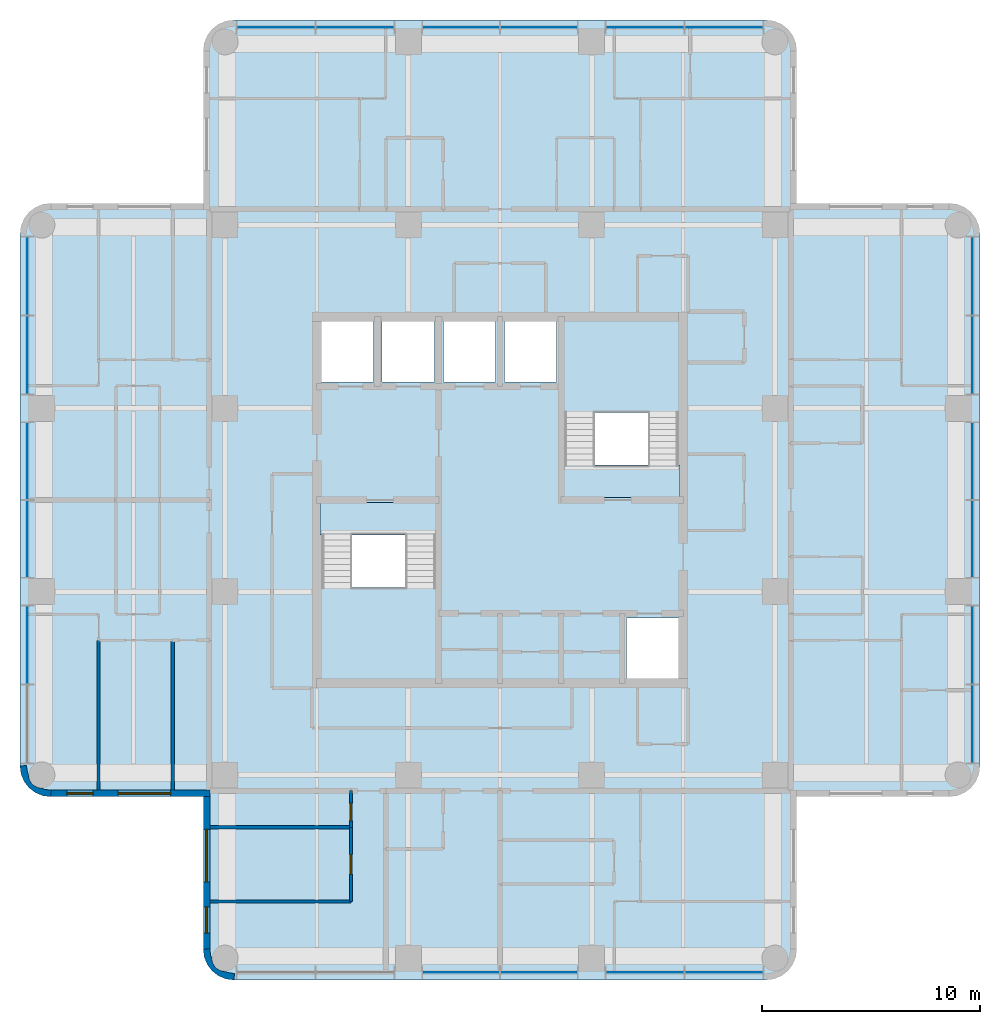
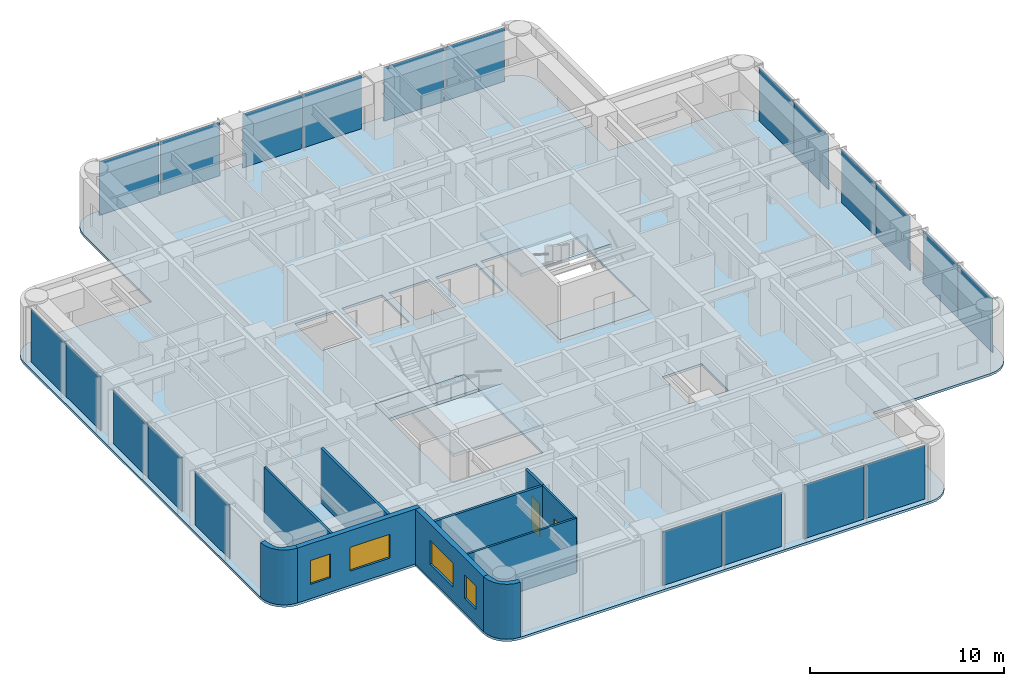
# One storey, part 3 of 10: 21 plates, 10 walls, 5 slabs, 4 windows, 2 doors, 6 openings, 6 elements without a shape of their own.
"""IFC4 building model written with IfcOpenShell, lengths in metres."""

from ifc_helpers import new_model, si_unit, direction, frame, frame_2d, origin, origin_2d, place, context, subcontext, project, spatial, polyline, rectangle, outline, extrude, material, layer, layer_set, type_object, element, fill, aggregate, save


model = new_model("IFC4")

# Units and contexts
model_context = context("Model", 3, precision=1e-05, world=origin(), true_north=direction((0.0, 1.0)))
body_context = subcontext(model_context, "Body", "Model", "MODEL_VIEW")
ifc_project = project(units=[si_unit("LENGTHUNIT", "METRE"), si_unit("AREAUNIT", "SQUARE_METRE"), si_unit("VOLUMEUNIT", "CUBIC_METRE"), si_unit("PLANEANGLEUNIT", "RADIAN"), si_unit("MASSUNIT", "GRAM", prefix="KILO")], contexts=[model_context])

# Site, building, storey
site_placement = place(None, origin())
site = spatial("IfcSite", under=ifc_project, at=site_placement, CompositionType="ELEMENT")
building_placement = place(site_placement, origin())
building = spatial("IfcBuilding", under=site, at=building_placement, Name="Torre Alcanfor", CompositionType="ELEMENT")
storey_placement = place(building_placement, frame((0.0, 0.0, 264.89990234375)))
storey = spatial("IfcBuildingStorey", under=building, at=storey_placement, Name="L69", CompositionType="ELEMENT", Elevation=264.89990234375)

# Curtain wall, plates
ifc_material_1 = material(Name="Aluminium and glass", Category="aluminium")
curtain_wall_type = type_object("IfcCurtainWallType", Name="CW-A unitised apartment glazing with vertical FIN", PredefinedType="NOTDEFINED", material=ifc_material_1)
curtain_wall_1_placement = place(storey_placement, origin())
curtain_wall_1 = element("IfcCurtainWall", 1, at=curtain_wall_1_placement, inside=storey, type_object=curtain_wall_type, Name="Curtain wall CW-A L69 2", PredefinedType="NOTDEFINED")
ifc_material_2 = material(Name="Glass", Category="glass")
ifc_layer_1 = layer(ifc_material_2, 0.028076171875)
ifc_layer_set_1 = layer_set([ifc_layer_1], Name="CW-A clear double glazed unit")
plate_type = type_object("IfcPlateType", Name="CW-A clear double glazed unit", PredefinedType="CURTAIN_PANEL", material=ifc_layer_set_1)
plate_1_placement = place(storey_placement, frame((7.75, 39.664794921875, 0.0), z_axis=(0.0, 0.0, 1.0), x_axis=(0.0, -1.0, 0.0)))
plate_1 = element("IfcPlate", 2, at=plate_1_placement, type_object=plate_type, Name="CW-A panel 1.1.1", PredefinedType="CURTAIN_PANEL", context=body_context, shape_type="SweptSolid", body=[
    extrude(rectangle(XDim=3.55322265625, YDim=0.028076171875, at=origin_2d()), origin(), (0.0, 0.0, 1.0), 3.385009765625),
])
plate_2_placement = place(storey_placement, frame((7.75, 36.046630859375, 0.0), z_axis=(0.0, 0.0, 1.0), x_axis=(0.0, -1.0, 0.0)))
plate_2 = element("IfcPlate", 3, at=plate_2_placement, type_object=plate_type, Name="CW-A panel 1.2.1", PredefinedType="CURTAIN_PANEL", context=body_context, shape_type="SweptSolid", body=[
    extrude(rectangle(XDim=3.55322265625, YDim=0.028076171875, at=origin_2d()), origin(), (0.0, 0.0, 1.0), 3.385009765625),
])
plate_3_placement = place(storey_placement, frame((7.75, 31.18115234375, 0.0), z_axis=(0.0, 0.0, 1.0), x_axis=(0.0, -1.0, 0.0)))
plate_3 = element("IfcPlate", 4, at=plate_3_placement, type_object=plate_type, Name="CW-A panel 2.1.1", PredefinedType="CURTAIN_PANEL", context=body_context, shape_type="SweptSolid", body=[
    extrude(rectangle(XDim=3.49755859375, YDim=0.028076171875, at=origin_2d()), origin(), (0.0, 0.0, 1.0), 3.385009765625),
])
plate_4_placement = place(storey_placement, frame((7.75, 27.61865234375, 0.0), z_axis=(0.0, 0.0, 1.0), x_axis=(0.0, -1.0, 0.0)))
plate_4 = element("IfcPlate", 5, at=plate_4_placement, type_object=plate_type, Name="CW-A panel 2.2.1", PredefinedType="CURTAIN_PANEL", context=body_context, shape_type="SweptSolid", body=[
    extrude(rectangle(XDim=3.49755859375, YDim=0.028076171875, at=origin_2d()), origin(), (0.0, 0.0, 1.0), 3.385009765625),
])
plate_5_placement = place(storey_placement, frame((7.75, 22.75341796875, 0.0), z_axis=(0.0, 0.0, 1.0), x_axis=(0.0, -1.0, 0.0)))
plate_5 = element("IfcPlate", 6, at=plate_5_placement, type_object=plate_type, Name="CW-A panel 3.1.1", PredefinedType="CURTAIN_PANEL", context=body_context, shape_type="SweptSolid", body=[
    extrude(rectangle(XDim=3.55322265625, YDim=0.028076171875, at=origin_2d()), origin(), (0.0, 0.0, 1.0), 3.385009765625),
])
aggregate(curtain_wall_1, [plate_1, plate_2, plate_3, plate_4, plate_5])

curtain_wall_2_placement = place(storey_placement, origin())
curtain_wall_2 = element("IfcCurtainWall", 7, at=curtain_wall_2_placement, inside=storey, type_object=curtain_wall_type, Name="Curtain wall CW-A L69 5", PredefinedType="NOTDEFINED")
plate_6_placement = place(storey_placement, frame((27.61865234375, 7.75, 0.0), z_axis=(0.0, 0.0, 1.0), x_axis=(1.0, 0.0, 0.0)))
plate_6 = element("IfcPlate", 8, at=plate_6_placement, type_object=plate_type, Name="CW-A panel 2.1.1", PredefinedType="CURTAIN_PANEL", context=body_context, shape_type="SweptSolid", body=[
    extrude(rectangle(XDim=3.49755859375, YDim=0.028076171875, at=origin_2d()), origin(), (0.0, 0.0, 1.0), 3.385009765625),
])
plate_7_placement = place(storey_placement, frame((31.18115234375, 7.75, 0.0), z_axis=(0.0, 0.0, 1.0), x_axis=(1.0, 0.0, 0.0)))
plate_7 = element("IfcPlate", 9, at=plate_7_placement, type_object=plate_type, Name="CW-A panel 2.2.1", PredefinedType="CURTAIN_PANEL", context=body_context, shape_type="SweptSolid", body=[
    extrude(rectangle(XDim=3.49755859375, YDim=0.028076171875, at=origin_2d()), origin(), (0.0, 0.0, 1.0), 3.385009765625),
])
plate_8_placement = place(storey_placement, frame((36.046630859375, 7.75, 0.0), z_axis=(0.0, 0.0, 1.0), x_axis=(1.0, 0.0, 0.0)))
plate_8 = element("IfcPlate", 10, at=plate_8_placement, type_object=plate_type, Name="CW-A panel 3.1.1", PredefinedType="CURTAIN_PANEL", context=body_context, shape_type="SweptSolid", body=[
    extrude(rectangle(XDim=3.55322265625, YDim=0.028076171875, at=origin_2d()), origin(), (0.0, 0.0, 1.0), 3.385009765625),
])
plate_9_placement = place(storey_placement, frame((39.664794921875, 7.75, 0.0), z_axis=(0.0, 0.0, 1.0), x_axis=(1.0, 0.0, 0.0)))
plate_9 = element("IfcPlate", 11, at=plate_9_placement, type_object=plate_type, Name="CW-A panel 3.2.1", PredefinedType="CURTAIN_PANEL", context=body_context, shape_type="SweptSolid", body=[
    extrude(rectangle(XDim=3.55322265625, YDim=0.028076171875, at=origin_2d()), origin(), (0.0, 0.0, 1.0), 3.385009765625),
])
aggregate(curtain_wall_2, [plate_6, plate_7, plate_8, plate_9])

curtain_wall_3_placement = place(storey_placement, origin())
curtain_wall_3 = element("IfcCurtainWall", 12, at=curtain_wall_3_placement, inside=storey, type_object=curtain_wall_type, Name="Curtain wall CW-A L69 8", PredefinedType="NOTDEFINED")
plate_10_placement = place(storey_placement, frame((51.050048828125, 19.135009765625, 0.0), z_axis=(0.0, 0.0, 1.0), x_axis=(0.0, 1.0, 0.0)))
plate_10 = element("IfcPlate", 13, at=plate_10_placement, type_object=plate_type, Name="CW-A panel 1.1.1", PredefinedType="CURTAIN_PANEL", context=body_context, shape_type="SweptSolid", body=[
    extrude(rectangle(XDim=3.55322265625, YDim=0.028076171875, at=origin_2d()), origin(), (0.0, 0.0, 1.0), 3.385009765625),
])
plate_11_placement = place(storey_placement, frame((51.050048828125, 22.75341796875, 0.0), z_axis=(0.0, 0.0, 1.0), x_axis=(0.0, 1.0, 0.0)))
plate_11 = element("IfcPlate", 14, at=plate_11_placement, type_object=plate_type, Name="CW-A panel 1.2.1", PredefinedType="CURTAIN_PANEL", context=body_context, shape_type="SweptSolid", body=[
    extrude(rectangle(XDim=3.55322265625, YDim=0.028076171875, at=origin_2d()), origin(), (0.0, 0.0, 1.0), 3.385009765625),
])
plate_12_placement = place(storey_placement, frame((51.050048828125, 27.61865234375, 0.0), z_axis=(0.0, 0.0, 1.0), x_axis=(0.0, 1.0, 0.0)))
plate_12 = element("IfcPlate", 15, at=plate_12_placement, type_object=plate_type, Name="CW-A panel 2.1.1", PredefinedType="CURTAIN_PANEL", context=body_context, shape_type="SweptSolid", body=[
    extrude(rectangle(XDim=3.49755859375, YDim=0.028076171875, at=origin_2d()), origin(), (0.0, 0.0, 1.0), 3.385009765625),
])
plate_13_placement = place(storey_placement, frame((51.050048828125, 31.18115234375, 0.0), z_axis=(0.0, 0.0, 1.0), x_axis=(0.0, 1.0, 0.0)))
plate_13 = element("IfcPlate", 16, at=plate_13_placement, type_object=plate_type, Name="CW-A panel 2.2.1", PredefinedType="CURTAIN_PANEL", context=body_context, shape_type="SweptSolid", body=[
    extrude(rectangle(XDim=3.49755859375, YDim=0.028076171875, at=origin_2d()), origin(), (0.0, 0.0, 1.0), 3.385009765625),
])
plate_14_placement = place(storey_placement, frame((51.050048828125, 36.046630859375, 0.0), z_axis=(0.0, 0.0, 1.0), x_axis=(0.0, 1.0, 0.0)))
plate_14 = element("IfcPlate", 17, at=plate_14_placement, type_object=plate_type, Name="CW-A panel 3.1.1", PredefinedType="CURTAIN_PANEL", context=body_context, shape_type="SweptSolid", body=[
    extrude(rectangle(XDim=3.55322265625, YDim=0.028076171875, at=origin_2d()), origin(), (0.0, 0.0, 1.0), 3.385009765625),
])
plate_15_placement = place(storey_placement, frame((51.050048828125, 39.664794921875, 0.0), z_axis=(0.0, 0.0, 1.0), x_axis=(0.0, 1.0, 0.0)))
plate_15 = element("IfcPlate", 18, at=plate_15_placement, type_object=plate_type, Name="CW-A panel 3.2.1", PredefinedType="CURTAIN_PANEL", context=body_context, shape_type="SweptSolid", body=[
    extrude(rectangle(XDim=3.55322265625, YDim=0.028076171875, at=origin_2d()), origin(), (0.0, 0.0, 1.0), 3.385009765625),
])
aggregate(curtain_wall_3, [plate_10, plate_11, plate_12, plate_13, plate_14, plate_15])

curtain_wall_4_placement = place(storey_placement, origin())
curtain_wall_4 = element("IfcCurtainWall", 19, at=curtain_wall_4_placement, inside=storey, type_object=curtain_wall_type, Name="Curtain wall CW-A L69 11", PredefinedType="NOTDEFINED")
plate_16_placement = place(storey_placement, frame((39.664794921875, 51.050048828125, 0.0), z_axis=(0.0, 0.0, 1.0), x_axis=(-1.0, 0.0, 0.0)))
plate_16 = element("IfcPlate", 20, at=plate_16_placement, type_object=plate_type, Name="CW-A panel 1.1.1", PredefinedType="CURTAIN_PANEL", context=body_context, shape_type="SweptSolid", body=[
    extrude(rectangle(XDim=3.55322265625, YDim=0.028076171875, at=origin_2d()), origin(), (0.0, 0.0, 1.0), 3.385009765625),
])
plate_17_placement = place(storey_placement, frame((36.046630859375, 51.050048828125, 0.0), z_axis=(0.0, 0.0, 1.0), x_axis=(-1.0, 0.0, 0.0)))
plate_17 = element("IfcPlate", 21, at=plate_17_placement, type_object=plate_type, Name="CW-A panel 1.2.1", PredefinedType="CURTAIN_PANEL", context=body_context, shape_type="SweptSolid", body=[
    extrude(rectangle(XDim=3.55322265625, YDim=0.028076171875, at=origin_2d()), origin(), (0.0, 0.0, 1.0), 3.385009765625),
])
plate_18_placement = place(storey_placement, frame((31.18115234375, 51.050048828125, 0.0), z_axis=(0.0, 0.0, 1.0), x_axis=(-1.0, 0.0, 0.0)))
plate_18 = element("IfcPlate", 22, at=plate_18_placement, type_object=plate_type, Name="CW-A panel 2.1.1", PredefinedType="CURTAIN_PANEL", context=body_context, shape_type="SweptSolid", body=[
    extrude(rectangle(XDim=3.49755859375, YDim=0.028076171875, at=origin_2d()), origin(), (0.0, 0.0, 1.0), 3.385009765625),
])
plate_19_placement = place(storey_placement, frame((27.61865234375, 51.050048828125, 0.0), z_axis=(0.0, 0.0, 1.0), x_axis=(-1.0, 0.0, 0.0)))
plate_19 = element("IfcPlate", 23, at=plate_19_placement, type_object=plate_type, Name="CW-A panel 2.2.1", PredefinedType="CURTAIN_PANEL", context=body_context, shape_type="SweptSolid", body=[
    extrude(rectangle(XDim=3.49755859375, YDim=0.028076171875, at=origin_2d()), origin(), (0.0, 0.0, 1.0), 3.385009765625),
])
plate_20_placement = place(storey_placement, frame((22.75341796875, 51.050048828125, 0.0), z_axis=(0.0, 0.0, 1.0), x_axis=(-1.0, 0.0, 0.0)))
plate_20 = element("IfcPlate", 24, at=plate_20_placement, type_object=plate_type, Name="CW-A panel 3.1.1", PredefinedType="CURTAIN_PANEL", context=body_context, shape_type="SweptSolid", body=[
    extrude(rectangle(XDim=3.55322265625, YDim=0.028076171875, at=origin_2d()), origin(), (0.0, 0.0, 1.0), 3.385009765625),
])
plate_21_placement = place(storey_placement, frame((19.135009765625, 51.050048828125, 0.0), z_axis=(0.0, 0.0, 1.0), x_axis=(-1.0, 0.0, 0.0)))
plate_21 = element("IfcPlate", 25, at=plate_21_placement, type_object=plate_type, Name="CW-A panel 3.2.1", PredefinedType="CURTAIN_PANEL", context=body_context, shape_type="SweptSolid", body=[
    extrude(rectangle(XDim=3.55322265625, YDim=0.028076171875, at=origin_2d()), origin(), (0.0, 0.0, 1.0), 3.385009765625),
])
aggregate(curtain_wall_4, [plate_16, plate_17, plate_18, plate_19, plate_20, plate_21])

# Slab
ifc_material_3 = material(Name="Concrete f'c 35 MPa", Category="concrete")
ifc_layer_2 = layer(ifc_material_3, 0.14990234375)
ifc_layer_set_2 = layer_set([ifc_layer_2], Name="Composite floor 150 on metal deck")
slab_type_1 = type_object("IfcSlabType", Name="Composite floor 150 on metal deck", PredefinedType="FLOOR", material=ifc_layer_set_2)
slab_1_placement = place(storey_placement, frame((0.0, 0.0, -0.14990234375)))
element("IfcSlab", 26, at=slab_1_placement, inside=storey, type_object=slab_type_1, Name="Floor slab L69", PredefinedType="FLOOR", context=body_context, shape_type="SweptSolid", body=[
    extrude(outline(polyline([(15.800048828125, 43.0), (8.800048828125, 43.0), (8.437744140625, 42.952392578125), (8.10009765625, 42.8125), (7.81005859375, 42.58984375), (7.587646484375, 42.300048828125), (7.44775390625, 41.96240234375), (7.39990234375, 41.60009765625), (7.39990234375, 17.199951171875), (7.44775390625, 16.837646484375), (7.587646484375, 16.5), (7.81005859375, 16.210205078125), (8.10009765625, 15.987548828125), (8.437744140625, 15.84765625), (8.800048828125, 15.800048828125), (15.800048828125, 15.800048828125), (15.800048828125, 8.800048828125), (15.84765625, 8.437744140625), (15.987548828125, 8.10009765625), (16.210205078125, 7.81005859375), (16.5, 7.587646484375), (16.837646484375, 7.44775390625), (17.199951171875, 7.39990234375), (41.60009765625, 7.39990234375), (41.96240234375, 7.44775390625), (42.300048828125, 7.587646484375), (42.58984375, 7.81005859375), (42.8125, 8.10009765625), (42.952392578125, 8.437744140625), (43.0, 8.800048828125), (43.0, 15.800048828125), (50.0, 15.800048828125), (50.3623046875, 15.84765625), (50.699951171875, 15.987548828125), (50.989990234375, 16.210205078125), (51.21240234375, 16.5), (51.352294921875, 16.837646484375), (51.39990234375, 17.199951171875), (51.39990234375, 41.60009765625), (51.352294921875, 41.96240234375), (51.21240234375, 42.300048828125), (50.989990234375, 42.58984375), (50.699951171875, 42.8125), (50.3623046875, 42.952392578125), (50.0, 43.0), (43.0, 43.0), (43.0, 50.0), (42.952392578125, 50.3623046875), (42.8125, 50.699951171875), (42.58984375, 50.989990234375), (42.300048828125, 51.21240234375), (41.96240234375, 51.352294921875), (41.60009765625, 51.39990234375), (17.199951171875, 51.39990234375), (16.837646484375, 51.352294921875), (16.5, 51.21240234375), (16.210205078125, 50.989990234375), (15.987548828125, 50.699951171875), (15.84765625, 50.3623046875), (15.800048828125, 50.0), (15.800048828125, 43.0)]), holes=[polyline([(21.14501953125, 21.14501953125), (26.47998046875, 21.14501953125), (26.47998046875, 29.280029296875), (21.14501953125, 29.280029296875), (21.14501953125, 21.14501953125)]), polyline([(32.320068359375, 29.52001953125), (37.655029296875, 29.52001953125), (37.655029296875, 37.655029296875), (32.320068359375, 37.655029296875), (32.320068359375, 29.52001953125)]), polyline([(35.199951171875, 21.22509765625), (37.574951171875, 21.22509765625), (37.574951171875, 24.0), (35.199951171875, 24.0), (35.199951171875, 21.22509765625)]), polyline([(21.22509765625, 34.800048828125), (23.60009765625, 34.800048828125), (23.60009765625, 37.574951171875), (21.22509765625, 37.574951171875), (21.22509765625, 34.800048828125)]), polyline([(24.0, 34.800048828125), (26.39990234375, 34.800048828125), (26.39990234375, 37.574951171875), (24.0, 37.574951171875), (24.0, 34.800048828125)]), polyline([(26.800048828125, 34.800048828125), (29.199951171875, 34.800048828125), (29.199951171875, 37.574951171875), (26.800048828125, 37.574951171875), (26.800048828125, 34.800048828125)]), polyline([(29.60009765625, 34.800048828125), (32.0, 34.800048828125), (32.0, 37.574951171875), (29.60009765625, 37.574951171875), (29.60009765625, 34.800048828125)])]), origin(), (0.0, 0.0, 1.0), 0.14990234375),
])

# Stair, slabs
ifc_material_4 = material(Name="Concrete f'c 35 MPa", Category="concrete")
stair_type_1 = type_object("IfcStairType", Name="Exit stair S1 1400 wide", PredefinedType="HALF_TURN_STAIR", material=ifc_material_4)
stair_1_placement = place(storey_placement, origin())
stair_1 = element("IfcStair", 27, at=stair_1_placement, inside=storey, type_object=stair_type_1, Name="Stair S1 L69 to L70", PredefinedType="HALF_TURN_STAIR")
ifc_material_5 = material(Name="Concrete f'c 35 MPa", Category="concrete")
ifc_layer_3 = layer(ifc_material_5, 0.199951171875)
ifc_layer_set_3 = layer_set([ifc_layer_3], Name="Stair landing 200")
slab_type_2 = type_object("IfcSlabType", Name="Stair landing 200", PredefinedType="LANDING", material=ifc_layer_set_3)
slab_2_placement = place(storey_placement, frame((0.0, 0.0, -0.199951171875)))
slab_2 = element("IfcSlab", 28, at=slab_2_placement, type_object=slab_type_2, Name="S1 landing 1", PredefinedType="LANDING", context=body_context, shape_type="SweptSolid", body=[
    extrude(outline(polyline([(21.14501953125, 27.800048828125), (26.47998046875, 27.800048828125), (26.47998046875, 29.280029296875), (21.14501953125, 29.280029296875), (21.14501953125, 27.800048828125)])), origin(), (0.0, 0.0, 1.0), 0.199951171875),
])
slab_3_placement = place(storey_placement, frame((0.0, 0.0, 1.60009765625)))
slab_3 = element("IfcSlab", 29, at=slab_3_placement, type_object=slab_type_2, Name="S1 landing 2", PredefinedType="LANDING", context=body_context, shape_type="SweptSolid", body=[
    extrude(outline(polyline([(21.14501953125, 21.14501953125), (26.530029296875, 21.14501953125), (26.530029296875, 25.3798828125), (21.14501953125, 25.3798828125), (21.14501953125, 21.14501953125)])), origin(), (0.0, 0.0, 1.0), 0.199951171875),
])
aggregate(stair_1, [slab_2, slab_3])

ifc_material_6 = material(Name="Concrete f'c 35 MPa", Category="concrete")
stair_type_2 = type_object("IfcStairType", Name="Exit stair S2 1400 wide", PredefinedType="HALF_TURN_STAIR", material=ifc_material_6)
stair_2_placement = place(storey_placement, origin())
stair_2 = element("IfcStair", 30, at=stair_2_placement, inside=storey, type_object=stair_type_2, Name="Stair S2 L69 to L70", PredefinedType="HALF_TURN_STAIR")
slab_4_placement = place(storey_placement, frame((0.0, 0.0, -0.199951171875)))
slab_4 = element("IfcSlab", 31, at=slab_4_placement, type_object=slab_type_2, Name="S2 landing 1", PredefinedType="LANDING", context=body_context, shape_type="SweptSolid", body=[
    extrude(outline(polyline([(32.320068359375, 29.52001953125), (37.655029296875, 29.52001953125), (37.655029296875, 31.0), (32.320068359375, 31.0), (32.320068359375, 29.52001953125)])), origin(), (0.0, 0.0, 1.0), 0.199951171875),
])
slab_5_placement = place(storey_placement, frame((0.0, 0.0, 1.60009765625)))
slab_5 = element("IfcSlab", 32, at=slab_5_placement, type_object=slab_type_2, Name="S2 landing 2", PredefinedType="LANDING", context=body_context, shape_type="SweptSolid", body=[
    extrude(outline(polyline([(32.27001953125, 33.419921875), (37.655029296875, 33.419921875), (37.655029296875, 37.655029296875), (32.27001953125, 37.655029296875), (32.27001953125, 33.419921875)])), origin(), (0.0, 0.0, 1.0), 0.199951171875),
])
aggregate(stair_2, [slab_4, slab_5])

# Wall
ifc_material_7 = material(Name="Gypsum board on steel studs", Category="steel")
ifc_layer_4 = layer(ifc_material_7, 0.1201171875)
ifc_layer_set_4 = layer_set([ifc_layer_4], Name="Apartment partition 120")
wall_type_1 = type_object("IfcWallType", Name="Apartment partition 120", PredefinedType="PARTITIONING", material=ifc_layer_set_4)
wall_1_placement = place(storey_placement, frame((16.10009765625, 11.0, 0.0), z_axis=(0.0, 0.0, 1.0), x_axis=(1.0, 0.0, 0.0)))
element("IfcWall", 33, at=wall_1_placement, inside=storey, type_object=wall_type_1, Name="Partition L69-S2B-LIVING / L69-S2B-MASTER", PredefinedType="PARTITIONING", context=body_context, shape_type="SweptSolid", body=[
    extrude(rectangle(XDim=6.470947265625, YDim=0.1201171875, at=frame_2d((3.2353515625, 0.0))), origin(), (0.0, 0.0, 1.0), 3.4501953125),
])

# Wall, opening, door
wall_2_placement = place(storey_placement, frame((22.571044921875, 11.0, 0.0), z_axis=(0.0, 0.0, 1.0), x_axis=(0.0, 1.0, 0.0)))
wall_2 = element("IfcWall", 34, at=wall_2_placement, inside=storey, type_object=wall_type_1, Name="Partition L69-S2B-LIVING / L69-S2B-MASTER", PredefinedType="PARTITIONING", context=body_context, shape_type="SweptSolid", body=[
    extrude(rectangle(XDim=3.39990234375, YDim=0.1201171875, at=frame_2d((1.699951171875, 0.0))), origin(), (0.0, 0.0, 1.0), 3.4501953125),
])
opening_1_placement = place(wall_2_placement, frame((1.25, 0.0, 0.0)))
opening_1 = element("IfcOpeningElement", 35, at=opening_1_placement, cuts=wall_2, Name="Opening D-R1", PredefinedType="OPENING", context=body_context, shape_type="SweptSolid", body=[
    extrude(rectangle(XDim=0.89990234375, YDim=2.10009765625, at=frame_2d((0.449951171875, 1.050048828125))), frame((0.0, 0.070068359375, 0.0), z_axis=(0.0, -1.0, 0.0), x_axis=(1.0, 0.0, 0.0)), (0.0, 0.0, 1.0), 0.14013671875),
])
ifc_material_8 = material(Name="Timber", Category="wood")
door_type_1 = type_object("IfcDoorType", Name="Internal door 900x2100", OperationType="SINGLE_SWING_LEFT", PredefinedType="DOOR", material=ifc_material_8)
door_1_placement = place(opening_1_placement, origin())
door_1 = element("IfcDoor", 36, at=door_1_placement, inside=storey, type_object=door_type_1, Name="Door L69-S2B master", OperationType="SINGLE_SWING_LEFT", OverallHeight=2.10009765625, OverallWidth=0.89990234375, PredefinedType="DOOR", context=body_context, shape_type="SweptSolid", body=[
    extrude(rectangle(XDim=0.89990234375, YDim=2.10009765625, at=frame_2d((0.449951171875, 1.050048828125))), frame((0.0, 0.02490234375, 0.0), z_axis=(0.0, -1.0, 0.0), x_axis=(1.0, 0.0, 0.0)), (0.0, 0.0, 1.0), 0.050048828125),
])
fill(opening_1, door_1)

# Wall
wall_3_placement = place(storey_placement, frame((11.0, 22.970947265625, 0.0), z_axis=(0.0, 0.0, 1.0), x_axis=(0.0, -1.0, 0.0)))
element("IfcWall", 37, at=wall_3_placement, inside=storey, type_object=wall_type_1, Name="Partition L69-W1-STUDY / L69-W1-MASTER", PredefinedType="PARTITIONING", context=body_context, shape_type="SweptSolid", body=[
    extrude(rectangle(XDim=6.870849609375, YDim=0.1201171875, at=frame_2d((3.435546875, 0.0))), origin(), (0.0, 0.0, 1.0), 3.4501953125),
])

# Wall, openings, windows
ifc_material_9 = material(Name="Limestone cladding", Category="masonry")
ifc_layer_5 = layer(ifc_material_9, 0.0400390625, Name="Facing")
ifc_material_10 = material(Name="Ventilated air cavity")
ifc_layer_6 = layer(ifc_material_10, 0.02001953125, ventilated=True, Name="Ventilated joint")
ifc_material_11 = material(Name="Mineral wool insulation", Category="insulation")
ifc_layer_7 = layer(ifc_material_11, 0.10009765625, Name="Insulation")
ifc_material_12 = material(Name="Concrete f'c 35 MPa", Category="concrete")
ifc_layer_8 = layer(ifc_material_12, 0.139892578125, Name="Backing")
ifc_layer_set_5 = layer_set([ifc_layer_5, ifc_layer_6, ifc_layer_7, ifc_layer_8], Name="External wall stone-clad 300")
wall_type_2 = type_object("IfcWallType", Name="External wall stone-clad 300", PredefinedType="SOLIDWALL", material=ifc_layer_set_5)
wall_4_placement = place(storey_placement, frame((8.800048828125, 15.949951171875, 0.0), z_axis=(0.0, 0.0, 1.0), x_axis=(1.0, 0.0, 0.0)))
wall_4 = element("IfcWall", 38, at=wall_4_placement, inside=storey, type_object=wall_type_2, Name="External wall L69 3", PredefinedType="SOLIDWALL", context=body_context, shape_type="SweptSolid", body=[
    extrude(rectangle(XDim=7.300048828125, YDim=0.300048828125, at=frame_2d((3.64990234375, 0.0))), origin(), (0.0, 0.0, 1.0), 3.4501953125),
])
opening_2_placement = place(wall_4_placement, frame((3.10009765625, 0.0, 0.89990234375)))
opening_2 = element("IfcOpeningElement", 39, at=opening_2_placement, cuts=wall_4, Name="Opening W1", PredefinedType="OPENING", context=body_context, shape_type="SweptSolid", body=[
    extrude(rectangle(XDim=2.39990234375, YDim=1.5, at=frame_2d((1.199951171875, 0.75))), frame((0.0, 0.159912109375, 0.0), z_axis=(0.0, -1.0, 0.0), x_axis=(1.0, 0.0, 0.0)), (0.0, 0.0, 1.0), 0.320068359375),
])
opening_3_placement = place(wall_4_placement, frame((0.75, 0.0, 0.89990234375)))
opening_3 = element("IfcOpeningElement", 40, at=opening_3_placement, cuts=wall_4, Name="Opening W4", PredefinedType="OPENING", context=body_context, shape_type="SweptSolid", body=[
    extrude(rectangle(XDim=1.199951171875, YDim=1.5, at=frame_2d((0.60009765625, 0.75))), frame((0.0, 0.159912109375, 0.0), z_axis=(0.0, -1.0, 0.0), x_axis=(1.0, 0.0, 0.0)), (0.0, 0.0, 1.0), 0.320068359375),
])
ifc_material_13 = material(Name="Aluminium frame with clear double glazing", Category="aluminium")
window_type_1 = type_object("IfcWindowType", Name="Window bedroom 1200x1500", PartitioningType="SINGLE_PANEL", PredefinedType="WINDOW", material=ifc_material_13)
window_1_placement = place(opening_3_placement, origin())
window_1 = element("IfcWindow", 41, at=window_1_placement, inside=storey, type_object=window_type_1, Name="Window W4 L69-W1", OverallHeight=1.5, OverallWidth=1.199951171875, PartitioningType="SINGLE_PANEL", PredefinedType="WINDOW", context=body_context, shape_type="SweptSolid", body=[
    extrude(rectangle(XDim=1.199951171875, YDim=1.5, at=frame_2d((0.60009765625, 0.75))), frame((0.0, 0.030029296875, 0.0), z_axis=(0.0, -1.0, 0.0), x_axis=(1.0, 0.0, 0.0)), (0.0, 0.0, 1.0), 0.06005859375),
])
fill(opening_3, window_1)
ifc_material_14 = material(Name="Aluminium frame with clear double glazing", Category="aluminium")
window_type_2 = type_object("IfcWindowType", Name="Window bedroom 2400x1500", PartitioningType="SINGLE_PANEL", PredefinedType="WINDOW", material=ifc_material_14)
window_2_placement = place(opening_2_placement, origin())
window_2 = element("IfcWindow", 42, at=window_2_placement, inside=storey, type_object=window_type_2, Name="Window W1 L69-W1", OverallHeight=1.5, OverallWidth=2.39990234375, PartitioningType="SINGLE_PANEL", PredefinedType="WINDOW", context=body_context, shape_type="SweptSolid", body=[
    extrude(rectangle(XDim=2.39990234375, YDim=1.5, at=frame_2d((1.199951171875, 0.75))), frame((0.0, 0.030029296875, 0.0), z_axis=(0.0, -1.0, 0.0), x_axis=(1.0, 0.0, 0.0)), (0.0, 0.0, 1.0), 0.06005859375),
])
fill(opening_2, window_2)

wall_5_placement = place(storey_placement, frame((15.949951171875, 15.800048828125, 0.0), z_axis=(0.0, 0.0, 1.0), x_axis=(0.0, -1.0, 0.0)))
wall_5 = element("IfcWall", 43, at=wall_5_placement, inside=storey, type_object=wall_type_2, Name="External wall L69 4", PredefinedType="SOLIDWALL", context=body_context, shape_type="SweptSolid", body=[
    extrude(rectangle(XDim=7.0, YDim=0.300048828125, at=frame_2d((3.5, 0.0))), origin(), (0.0, 0.0, 1.0), 3.4501953125),
])
opening_4_placement = place(wall_5_placement, frame((1.5, 0.0, 0.89990234375)))
opening_4 = element("IfcOpeningElement", 44, at=opening_4_placement, cuts=wall_5, Name="Opening W1", PredefinedType="OPENING", context=body_context, shape_type="SweptSolid", body=[
    extrude(rectangle(XDim=2.39990234375, YDim=1.5, at=frame_2d((1.199951171875, 0.75))), frame((0.0, 0.159912109375, 0.0), z_axis=(0.0, -1.0, 0.0), x_axis=(1.0, 0.0, 0.0)), (0.0, 0.0, 1.0), 0.320068359375),
])
opening_5_placement = place(wall_5_placement, frame((5.050048828125, 0.0, 0.89990234375)))
opening_5 = element("IfcOpeningElement", 45, at=opening_5_placement, cuts=wall_5, Name="Opening W4", PredefinedType="OPENING", context=body_context, shape_type="SweptSolid", body=[
    extrude(rectangle(XDim=1.199951171875, YDim=1.5, at=frame_2d((0.60009765625, 0.75))), frame((0.0, 0.159912109375, 0.0), z_axis=(0.0, -1.0, 0.0), x_axis=(1.0, 0.0, 0.0)), (0.0, 0.0, 1.0), 0.320068359375),
])
window_3_placement = place(opening_5_placement, origin())
window_3 = element("IfcWindow", 46, at=window_3_placement, inside=storey, type_object=window_type_1, Name="Window W4 L69-S2", OverallHeight=1.5, OverallWidth=1.199951171875, PartitioningType="SINGLE_PANEL", PredefinedType="WINDOW", context=body_context, shape_type="SweptSolid", body=[
    extrude(rectangle(XDim=1.199951171875, YDim=1.5, at=frame_2d((0.60009765625, 0.75))), frame((0.0, 0.030029296875, 0.0), z_axis=(0.0, -1.0, 0.0), x_axis=(1.0, 0.0, 0.0)), (0.0, 0.0, 1.0), 0.06005859375),
])
fill(opening_5, window_3)
window_4_placement = place(opening_4_placement, origin())
window_4 = element("IfcWindow", 47, at=window_4_placement, inside=storey, type_object=window_type_2, Name="Window W1 L69-S2", OverallHeight=1.5, OverallWidth=2.39990234375, PartitioningType="SINGLE_PANEL", PredefinedType="WINDOW", context=body_context, shape_type="SweptSolid", body=[
    extrude(rectangle(XDim=2.39990234375, YDim=1.5, at=frame_2d((1.199951171875, 0.75))), frame((0.0, 0.030029296875, 0.0), z_axis=(0.0, -1.0, 0.0), x_axis=(1.0, 0.0, 0.0)), (0.0, 0.0, 1.0), 0.06005859375),
])
fill(opening_4, window_4)

# Walls
ifc_layer_9 = layer(ifc_material_9, 0.0400390625, Name="Facing")
ifc_layer_10 = layer(ifc_material_10, 0.02001953125, ventilated=True, Name="Ventilated joint")
ifc_layer_11 = layer(ifc_material_11, 0.10009765625, Name="Insulation")
ifc_layer_12 = layer(ifc_material_12, 0.139892578125, Name="Backing")
ifc_layer_set_6 = layer_set([ifc_layer_9, ifc_layer_10, ifc_layer_11, ifc_layer_12], Name="Rounded corner pier stone-clad 300")
wall_type_3 = type_object("IfcWallType", Name="Rounded corner pier stone-clad 300", PredefinedType="SOLIDWALL", material=ifc_layer_set_6)
wall_6_placement = place(storey_placement, frame((7.824101883, 17.161581746, 0.0), z_axis=(0.0, 0.0, 1.0), x_axis=(-0.707106781187, -0.707106781187, 0.0)))
element("IfcWall", 48, at=wall_6_placement, inside=storey, type_object=wall_type_3, Name="Corner pier L69 14", PredefinedType="SOLIDWALL", context=body_context, shape_type="SweptSolid", body=[
    extrude(outline(polyline([(0.04667321568762184, 1.4544919802800873), (0.23311738650829356, 1.2117692912302127), (0.29215804060150635, 1.069174027250699), (0.3579314008632433, 1.0034006669889621), (0.4494271513585729, 0.7824297978681659), (0.4494271513585729, 0.5431597786483039), (0.35793140086324327, 0.322534176510509), (0.2921580406015063, 0.256760816248772), (0.23311738650829356, 0.11416555226925829), (0.046673215687621845, -0.12890240376361745), (0.032689902876071465, -0.14288571657516783), (0.2728230895534366, -0.32708565200633144), (0.4951750266062377, -0.037061386285286546), (0.6350081547217414, 0.30060972308993), (0.6826549983759133, 0.6627947882582349), (0.6350081547217414, 1.025325120409541), (0.49517502660623774, 1.3629962297847575), (0.27265045606193605, 1.652847862014302), (0.03251726938457078, 1.4686479265831383), (0.04667321568762184, 1.4544919802800873)])), origin(), (0.0, 0.0, 1.0), 3.4501953125),
])
wall_7_placement = place(storey_placement, frame((16.224101883, 8.761581746, 0.0), z_axis=(0.0, 0.0, 1.0), x_axis=(-0.707106781187, -0.707106781187, 0.0)))
element("IfcWall", 49, at=wall_7_placement, inside=storey, type_object=wall_type_3, Name="Corner pier L69 15", PredefinedType="SOLIDWALL", context=body_context, shape_type="SweptSolid", body=[
    extrude(outline(polyline([(0.032689902876070875, 1.4686824532814384), (0.04667321568762128, 1.4546991404698881), (0.233117386508293, 1.2116311844370125), (0.29215804060150563, 1.0690359204574986), (0.3579314008632426, 1.0032625601957617), (0.44942715135857225, 0.7826369580579667), (0.44942715135857225, 0.5433669388381047), (0.3579314008632426, 0.3223960697173086), (0.29215804060150563, 0.25662270945557164), (0.23311738650829295, 0.11402744547605792), (0.04667321568762121, -0.12869524357381656), (0.03251726938457021, -0.14285118987686757), (0.27265045606193533, -0.3270511253080312), (0.49517502660623713, -0.03719949307848694), (0.6350081547217409, 0.3004716162967297), (0.6826549983759126, 0.6630019484480357), (0.6350081547217409, 1.0251870136163408), (0.495175026606237, 1.362858122991557), (0.27282308955343604, 1.652882388712602), (0.032689902876070875, 1.4686824532814384)])), origin(), (0.0, 0.0, 1.0), 3.4501953125),
])

# Wall, opening, door
ifc_material_15 = material(Name="Cement board on steel studs", Category="steel")
ifc_layer_13 = layer(ifc_material_15, 0.14990234375)
ifc_layer_set_7 = layer_set([ifc_layer_13], Name="Wet area partition 150")
wall_type_4 = type_object("IfcWallType", Name="Wet area partition 150", PredefinedType="PARTITIONING", material=ifc_layer_set_7)
wall_8_placement = place(storey_placement, frame((22.571044921875, 14.39990234375, 0.0), z_axis=(0.0, 0.0, 1.0), x_axis=(0.0, 1.0, 0.0)))
wall_8 = element("IfcWall", 50, at=wall_8_placement, inside=storey, type_object=wall_type_4, Name="Partition L69-S2B-LIVING / L69-S2B-BATH", PredefinedType="PARTITIONING", context=body_context, shape_type="SweptSolid", body=[
    extrude(rectangle(XDim=1.675048828125, YDim=0.14990234375, at=frame_2d((0.83740234375, 0.0))), origin(), (0.0, 0.0, 1.0), 3.4501953125),
])
opening_6_placement = place(wall_8_placement, frame((0.300048828125, 0.0, 0.0)))
opening_6 = element("IfcOpeningElement", 51, at=opening_6_placement, cuts=wall_8, Name="Opening D-R2", PredefinedType="OPENING", context=body_context, shape_type="SweptSolid", body=[
    extrude(rectangle(XDim=0.800048828125, YDim=2.10009765625, at=frame_2d((0.39990234375, 1.050048828125))), frame((0.0, 0.0849609375, 0.0), z_axis=(0.0, -1.0, 0.0), x_axis=(1.0, 0.0, 0.0)), (0.0, 0.0, 1.0), 0.169921875),
])
ifc_material_16 = material(Name="Timber", Category="wood")
door_type_2 = type_object("IfcDoorType", Name="Bathroom door 800x2100", OperationType="SINGLE_SWING_LEFT", PredefinedType="DOOR", material=ifc_material_16)
door_2_placement = place(opening_6_placement, origin())
door_2 = element("IfcDoor", 52, at=door_2_placement, inside=storey, type_object=door_type_2, Name="Door L69-S2B bath", OperationType="SINGLE_SWING_LEFT", OverallHeight=2.10009765625, OverallWidth=0.800048828125, PredefinedType="DOOR", context=body_context, shape_type="SweptSolid", body=[
    extrude(rectangle(XDim=0.800048828125, YDim=2.10009765625, at=frame_2d((0.39990234375, 1.050048828125))), frame((0.0, 0.02490234375, 0.0), z_axis=(0.0, -1.0, 0.0), x_axis=(1.0, 0.0, 0.0)), (0.0, 0.0, 1.0), 0.050048828125),
])
fill(opening_6, door_2)

# Walls
wall_9_placement = place(storey_placement, frame((22.571044921875, 14.39990234375, 0.0), z_axis=(0.0, 0.0, 1.0), x_axis=(-1.0, 0.0, 0.0)))
element("IfcWall", 53, at=wall_9_placement, inside=storey, type_object=wall_type_4, Name="Partition L69-S2B-BATH / L69-S2B-MASTER", PredefinedType="PARTITIONING", context=body_context, shape_type="SweptSolid", body=[
    extrude(rectangle(XDim=6.470947265625, YDim=0.14990234375, at=frame_2d((3.2353515625, 0.0))), origin(), (0.0, 0.0, 1.0), 3.4501953125),
])
wall_10_placement = place(storey_placement, frame((14.39990234375, 22.970947265625, 0.0), z_axis=(0.0, 0.0, 1.0), x_axis=(0.0, -1.0, 0.0)))
element("IfcWall", 54, at=wall_10_placement, inside=storey, type_object=wall_type_4, Name="Partition L69-W1-BATH / L69-W1-STUDY", PredefinedType="PARTITIONING", context=body_context, shape_type="SweptSolid", body=[
    extrude(rectangle(XDim=6.870849609375, YDim=0.14990234375, at=frame_2d((3.435546875, 0.0))), origin(), (0.0, 0.0, 1.0), 3.4501953125),
])

save(model, "model.ifc")
